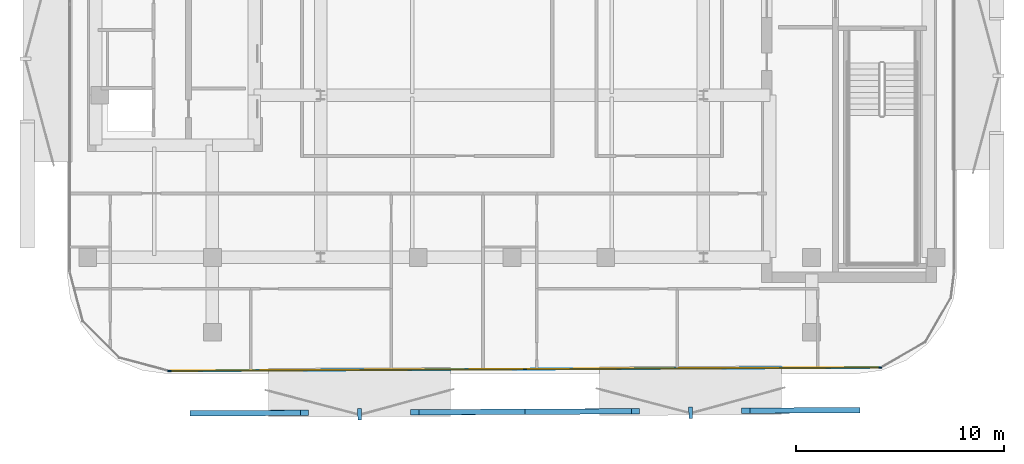
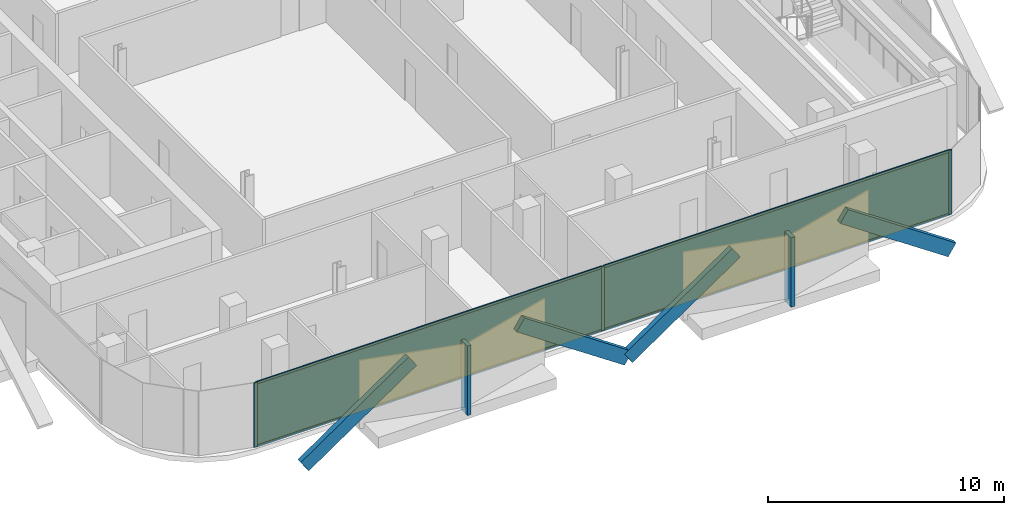
# One storey, part 7 of 15: 13 members, 2 plates, 1 curtain wall.
"""IFC4 building model written with IfcOpenShell, lengths in metres."""

from ifc_helpers import new_model, si_unit, direction, frame, frame_2d, origin, origin_2d, place, context, subcontext, project, spatial, rectangle, extrude, material, layer, layer_set, material_profile, profile_set, type_object, element, aggregate, save


model = new_model("IFC4")

# Units and contexts
model_context = context("Model", 3, precision=1e-05, world=origin(), true_north=direction((0.0, 1.0)))
body_context = subcontext(model_context, "Body", "Model", "MODEL_VIEW")
ifc_project = project(units=[si_unit("LENGTHUNIT", "METRE"), si_unit("AREAUNIT", "SQUARE_METRE"), si_unit("VOLUMEUNIT", "CUBIC_METRE"), si_unit("PLANEANGLEUNIT", "RADIAN"), si_unit("MASSUNIT", "GRAM", prefix="KILO")], contexts=[model_context])

# Member
ifc_material_1 = material(Name="Anodised Bronze Aluminium 6063-T6", Category="aluminium")
ifc_material_profile_1 = material_profile(ifc_material_1, rectangle(XDim=0.260009765625, YDim=0.699951171875, at=origin_2d()))
ifc_profile_set_1 = profile_set([ifc_material_profile_1], Name="Anodised Bronze Aluminium 6063-T6")
member_type_1 = type_object("IfcMemberType", Name="Bronze Diamond Solar-Screen Lattice Rib BDL-700", PredefinedType="MULLION", material=ifc_profile_set_1)
site_placement = place(None, origin())
building_placement = place(site_placement, origin())
storey_placement = place(building_placement, frame((0.0, 0.0, 265.60009765625)))
member_1_placement = place(storey_placement, frame((16.54150390625, -25.9423828125, -0.130126953125), z_axis=(-0.827385974327, -0.003922885074, 0.561620032104), x_axis=(-0.007387726519, 0.999965109063, -0.003898993941)))
member_1 = element("IfcMember", 1, at=member_1_placement, type_object=member_type_1, Name="L63 Bronze Diamond Solar Screen Lattice Rib 433A", PredefinedType="MULLION", context=body_context, shape_type="SweptSolid", body=[
    extrude(rectangle(XDim=0.260009765625, YDim=0.699951171875, at=origin_2d()), origin(), (0.0, 0.0, 1.0), 6.41015625),
])

member_2_placement = place(storey_placement, frame((0.630126953125, -26.018310546875, -0.130126953125), z_axis=(0.827385850109, 0.003960970743, 0.561619947786), x_axis=(0.007433755501, -0.999964767941, -0.003898994211)))
member_2 = element("IfcMember", 2, at=member_2_placement, type_object=member_type_1, Name="L63 Bronze Diamond Solar Screen Lattice Rib 433B", PredefinedType="MULLION", context=body_context, shape_type="SweptSolid", body=[
    extrude(rectangle(XDim=0.260009765625, YDim=0.699951171875, at=origin_2d()), origin(), (0.0, 0.0, 1.0), 6.41015625),
])

member_3_placement = place(storey_placement, frame((0.630126953125, -26.018310546875, -0.130126953125), z_axis=(-0.827385850109, -0.003960970743, 0.561619947786), x_axis=(-0.007433755501, 0.999964767941, -0.003898994211)))
member_3 = element("IfcMember", 3, at=member_3_placement, type_object=member_type_1, Name="L63 Bronze Diamond Solar Screen Lattice Rib 434A", PredefinedType="MULLION", context=body_context, shape_type="SweptSolid", body=[
    extrude(rectangle(XDim=0.260009765625, YDim=0.699951171875, at=origin_2d()), origin(), (0.0, 0.0, 1.0), 6.41015625),
])

member_4_placement = place(storey_placement, frame((-15.281005859375, -26.09423828125, -0.130126953125), z_axis=(0.827385850109, 0.003960970743, 0.561619947786), x_axis=(0.007433755501, -0.999964767941, -0.003898994211)))
member_4 = element("IfcMember", 4, at=member_4_placement, type_object=member_type_1, Name="L63 Bronze Diamond Solar Screen Lattice Rib 434B", PredefinedType="MULLION", context=body_context, shape_type="SweptSolid", body=[
    extrude(rectangle(XDim=0.260009765625, YDim=0.699951171875, at=origin_2d()), origin(), (0.0, 0.0, 1.0), 6.41015625),
])

ifc_material_2 = material(Name="Anodised Bronze Aluminium 6063-T6", Category="aluminium")
ifc_material_profile_2 = material_profile(ifc_material_2, rectangle(XDim=0.179931640625, YDim=0.5400390625, at=origin_2d()))
ifc_profile_set_2 = profile_set([ifc_material_profile_2], Name="Anodised Bronze Aluminium 6063-T6")
member_type_2 = type_object("IfcMemberType", Name="Bronze Solar-Screen Vertical Fold Fin BSF-540", PredefinedType="MULLION", material=ifc_profile_set_2)
member_5_placement = place(storey_placement, frame((8.586181640625, -26.060302734375, -0.130126953125), z_axis=(0.0, 0.0, 1.0), x_axis=(-0.999988896716, -0.004712371539, 0.0)))
member_5 = element("IfcMember", 5, at=member_5_placement, type_object=member_type_2, Name="L63 Bronze Solar Screen Vertical Fin 433", PredefinedType="MULLION", context=body_context, shape_type="SweptSolid", body=[
    extrude(rectangle(XDim=0.179931640625, YDim=0.5400390625, at=origin_2d()), origin(), (0.0, 0.0, 1.0), 3.60009765625),
])

member_6_placement = place(storey_placement, frame((-7.3251953125, -26.13623046875, -0.130126953125), z_axis=(0.0, 0.0, 1.0), x_axis=(-0.999988896716, -0.004712371539, 0.0)))
member_6 = element("IfcMember", 6, at=member_6_placement, type_object=member_type_2, Name="L63 Bronze Solar Screen Vertical Fin 434", PredefinedType="MULLION", context=body_context, shape_type="SweptSolid", body=[
    extrude(rectangle(XDim=0.179931640625, YDim=0.5400390625, at=origin_2d()), origin(), (0.0, 0.0, 1.0), 3.60009765625),
])

ifc_material_3 = material(Name="Anodised Bronze Aluminium 6063-T6", Category="aluminium")
ifc_material_profile_3 = material_profile(ifc_material_3, rectangle(XDim=0.06005859375, YDim=0.159912109375, at=origin_2d()))
ifc_profile_set_3 = profile_set([ifc_material_profile_3], Name="Anodised Bronze Aluminium 6063-T6")
member_type_3 = type_object("IfcMemberType", Name="CW-Z4 Mullion 60x160", PredefinedType="MULLION", material=ifc_profile_set_3)
member_7_placement = place(storey_placement, frame((17.70166015625, -23.896728515625, 0.0), z_axis=(0.0, 0.0, 1.0), x_axis=(0.004774582141, -0.999988601618, 0.0)))
member_7 = element("IfcMember", 7, at=member_7_placement, type_object=member_type_3, Name="CW-Z4 mullion 1", PredefinedType="MULLION", context=body_context, shape_type="SweptSolid", body=[
    extrude(rectangle(XDim=0.06005859375, YDim=0.159912109375, at=origin_2d()), origin(), (0.0, 0.0, 1.0), 3.33984375),
])

member_8_placement = place(storey_placement, frame((0.620361328125, -23.978271484375, 0.0), z_axis=(0.0, 0.0, 1.0), x_axis=(0.004774582141, -0.999988601618, 0.0)))
member_8 = element("IfcMember", 8, at=member_8_placement, type_object=member_type_3, Name="CW-Z4 mullion 2", PredefinedType="MULLION", context=body_context, shape_type="SweptSolid", body=[
    extrude(rectangle(XDim=0.06005859375, YDim=0.159912109375, at=origin_2d()), origin(), (0.0, 0.0, 1.0), 3.33984375),
])

member_9_placement = place(storey_placement, frame((-16.460693359375, -24.059814453125, 0.0), z_axis=(0.0, 0.0, 1.0), x_axis=(0.004774582141, -0.999988601618, 0.0)))
member_9 = element("IfcMember", 9, at=member_9_placement, type_object=member_type_3, Name="CW-Z4 mullion 3", PredefinedType="MULLION", context=body_context, shape_type="SweptSolid", body=[
    extrude(rectangle(XDim=0.06005859375, YDim=0.159912109375, at=origin_2d()), origin(), (0.0, 0.0, 1.0), 3.33984375),
])

ifc_material_4 = material(Name="Anodised Bronze Aluminium 6063-T6", Category="aluminium")
ifc_material_profile_4 = material_profile(ifc_material_4, rectangle(XDim=0.06005859375, YDim=0.125, at=origin_2d()))
ifc_profile_set_4 = profile_set([ifc_material_profile_4], Name="Anodised Bronze Aluminium 6063-T6")
member_type_4 = type_object("IfcMemberType", Name="CW-Z4 Transom 60x125", PredefinedType="USERDEFINED", material=ifc_profile_set_4)
member_10_placement = place(storey_placement, frame((17.671630859375, -23.89697265625, 0.02978515625), z_axis=(-0.999988593596, -0.004776261875, 0.0), x_axis=(0.004776261875, -0.999988593596, 0.0)))
member_10 = element("IfcMember", 10, at=member_10_placement, type_object=member_type_4, Name="CW-Z4 transom 1.1", ObjectType="TRANSOM", PredefinedType="USERDEFINED", context=body_context, shape_type="SweptSolid", body=[
    extrude(rectangle(XDim=0.06005859375, YDim=0.125, at=origin_2d()), origin(), (0.0, 0.0, 1.0), 17.021484375),
])

member_11_placement = place(storey_placement, frame((17.671630859375, -23.89697265625, 3.309814453125), z_axis=(-0.999988593596, -0.004776261875, 0.0), x_axis=(0.004776261875, -0.999988593596, 0.0)))
member_11 = element("IfcMember", 11, at=member_11_placement, type_object=member_type_4, Name="CW-Z4 transom 1.2", ObjectType="TRANSOM", PredefinedType="USERDEFINED", context=body_context, shape_type="SweptSolid", body=[
    extrude(rectangle(XDim=0.06005859375, YDim=0.125, at=origin_2d()), origin(), (0.0, 0.0, 1.0), 17.021484375),
])

member_12_placement = place(storey_placement, frame((0.59033203125, -23.978515625, 0.02978515625), z_axis=(-0.999988593596, -0.004776261875, 0.0), x_axis=(0.004776261875, -0.999988593596, 0.0)))
member_12 = element("IfcMember", 12, at=member_12_placement, type_object=member_type_4, Name="CW-Z4 transom 2.1", ObjectType="TRANSOM", PredefinedType="USERDEFINED", context=body_context, shape_type="SweptSolid", body=[
    extrude(rectangle(XDim=0.06005859375, YDim=0.125, at=origin_2d()), origin(), (0.0, 0.0, 1.0), 17.021484375),
])

member_13_placement = place(storey_placement, frame((0.59033203125, -23.978515625, 3.309814453125), z_axis=(-0.999988593596, -0.004776261875, 0.0), x_axis=(0.004776261875, -0.999988593596, 0.0)))
member_13 = element("IfcMember", 13, at=member_13_placement, type_object=member_type_4, Name="CW-Z4 transom 2.2", ObjectType="TRANSOM", PredefinedType="USERDEFINED", context=body_context, shape_type="SweptSolid", body=[
    extrude(rectangle(XDim=0.06005859375, YDim=0.125, at=origin_2d()), origin(), (0.0, 0.0, 1.0), 17.021484375),
])

# Plate
ifc_material_5 = material(Name="Low-E Solar Control Laminated Glass", Category="glass")
ifc_layer_1 = layer(ifc_material_5, 0.030029296875, Name="Low-E Solar Control Laminated Glass")
ifc_layer_set_1 = layer_set([ifc_layer_1], Name="Low-E Solar Control Laminated Glass")
plate_type = type_object("IfcPlateType", Name="CW-Z4 Low-E Double Glazed Panel 30mm", PredefinedType="CURTAIN_PANEL", material=ifc_layer_set_1)
plate_1_placement = place(storey_placement, frame((9.1611328125, -23.9375, 0.06005859375), z_axis=(0.0, 0.0, 1.0), x_axis=(-0.999988601618, -0.004774582141, 0.0)))
plate_1 = element("IfcPlate", 14, at=plate_1_placement, type_object=plate_type, Name="CW-Z4 panel 1.1", PredefinedType="CURTAIN_PANEL", context=body_context, shape_type="SweptSolid", body=[
    extrude(rectangle(XDim=17.021484375, YDim=0.030029296875, at=origin_2d()), origin(), (0.0, 0.0, 1.0), 3.219970703125),
])

plate_2_placement = place(storey_placement, frame((-7.920166015625, -24.01904296875, 0.06005859375), z_axis=(0.0, 0.0, 1.0), x_axis=(-0.999988601618, -0.004774582141, 0.0)))
plate_2 = element("IfcPlate", 15, at=plate_2_placement, type_object=plate_type, Name="CW-Z4 panel 2.1", PredefinedType="CURTAIN_PANEL", context=body_context, shape_type="SweptSolid", body=[
    extrude(rectangle(XDim=17.021484375, YDim=0.030029296875, at=origin_2d()), origin(), (0.0, 0.0, 1.0), 3.219970703125),
])

# Site, building, storey
site = spatial("IfcSite", under=ifc_project, at=site_placement, CompositionType="ELEMENT")
building = spatial("IfcBuilding", under=site, at=building_placement, Name="Khairoan Windgate Tower", CompositionType="ELEMENT")
storey = spatial("IfcBuildingStorey", under=building, at=storey_placement, Name="L63", CompositionType="ELEMENT", Elevation=265.60009765625)

# Curtain wall
ifc_material_6 = material(Name="Anodised Bronze Aluminium 6063-T6", Category="aluminium")
ifc_layer_2 = layer(ifc_material_6, 0.159912109375, Name="Anodised Bronze Aluminium 6063-T6")
ifc_layer_set_2 = layer_set([ifc_layer_2], Name="Anodised Bronze Aluminium 6063-T6")
curtain_wall_type = type_object("IfcCurtainWallType", Name="Sky Residence Unitised Curtain Wall CW-Z4", PredefinedType="NOTDEFINED", material=ifc_layer_set_2)
curtain_wall_placement = place(storey_placement, frame((17.731689453125, -23.896484375, 0.0), z_axis=(0.0, 0.0, 1.0), x_axis=(-0.99998857724, -0.004779685013, 0.0)))
curtain_wall = element("IfcCurtainWall", 16, at=curtain_wall_placement, inside=storey, type_object=curtain_wall_type, Name="L63 Unitised Curtain Wall 1", PredefinedType="NOTDEFINED", context=body_context, shape_type="SweptSolid", body=[
    extrude(rectangle(XDim=34.222900390625, YDim=0.010009765625, at=frame_2d((17.111328125, 0.0))), origin(), (0.0, 0.0, 1.0), 3.33984375),
])

aggregate(curtain_wall, [member_7, member_8, member_9, member_10, member_11, plate_1, member_12, member_13, plate_2, member_1, member_2, member_5, member_3, member_4, member_6])

save(model, "model.ifc")
